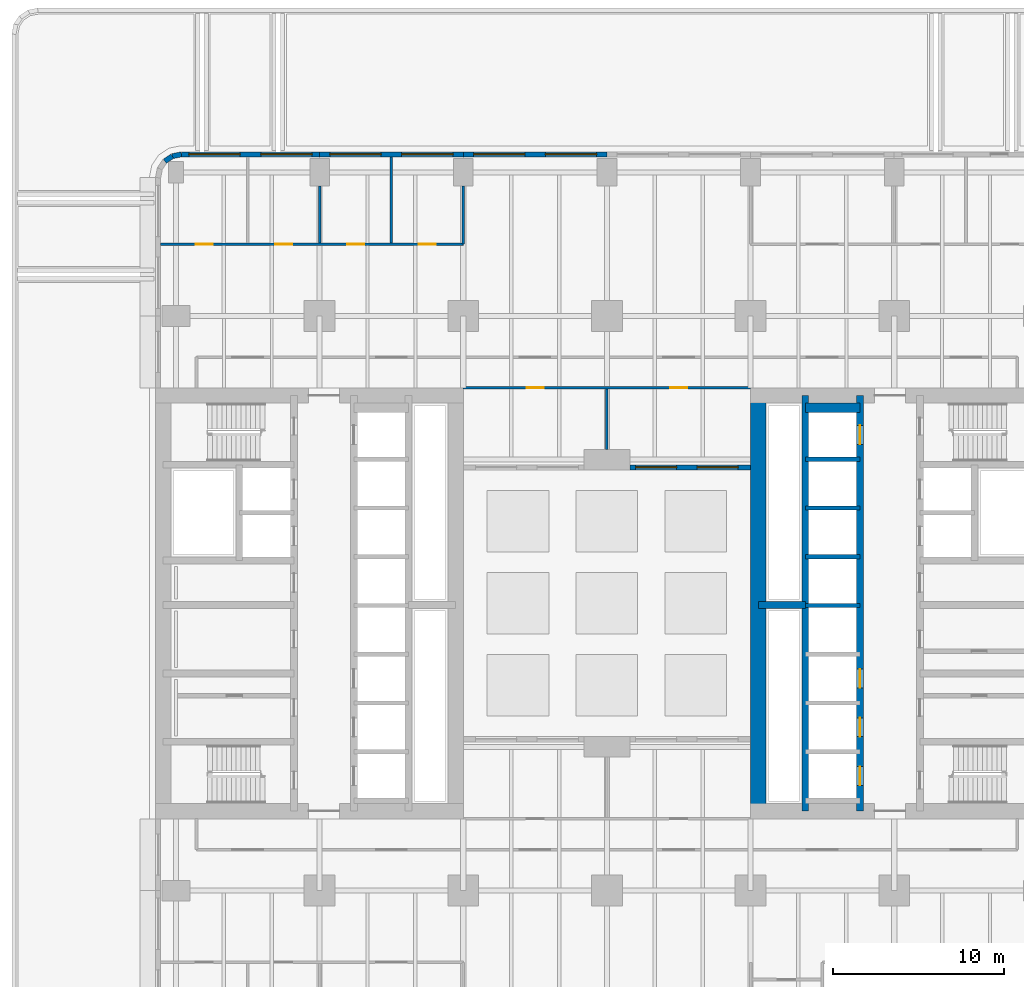
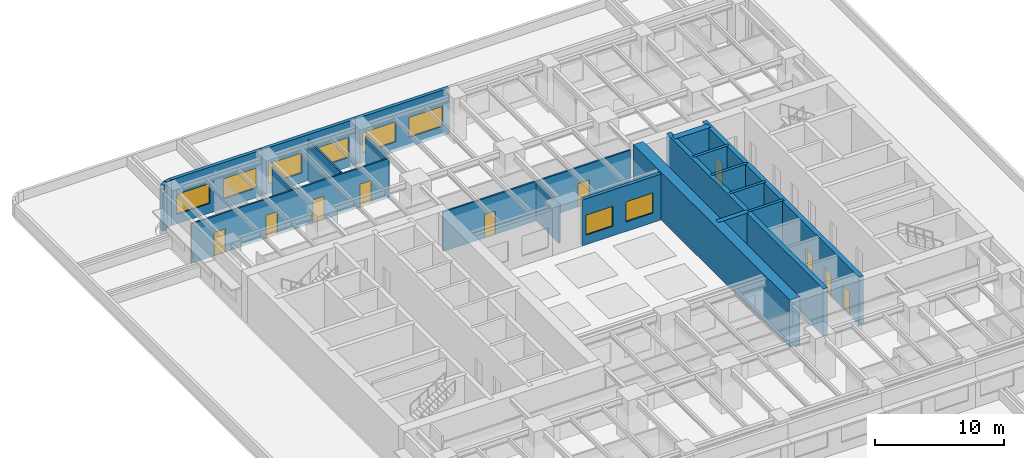
# One storey, part 7 of 17: 21 walls, 10 doors, 8 windows, 18 openings.
"""IFC4 building model written with IfcOpenShell, lengths in metres."""

from ifc_helpers import new_model, si_unit, direction, frame, frame_2d, origin, place, context, subcontext, project, spatial, rectangle, extrude, material, layer, layer_set, type_object, element, fill, save


model = new_model("IFC4")

# Units and contexts
model_context = context("Model", 3, precision=1e-05, world=origin(), true_north=direction((0.0, 1.0)))
body_context = subcontext(model_context, "Body", "Model", "MODEL_VIEW")
ifc_project = project(units=[si_unit("LENGTHUNIT", "METRE"), si_unit("AREAUNIT", "SQUARE_METRE"), si_unit("VOLUMEUNIT", "CUBIC_METRE"), si_unit("PLANEANGLEUNIT", "RADIAN"), si_unit("MASSUNIT", "GRAM", prefix="KILO")], contexts=[model_context])

# Site, building, storey
site_placement = place(None, origin())
site = spatial("IfcSite", under=ifc_project, at=site_placement, CompositionType="ELEMENT")
building_placement = place(site_placement, origin())
building = spatial("IfcBuilding", under=site, at=building_placement, Name="Claustro Exchange Tower", CompositionType="ELEMENT")
storey_placement = place(building_placement, frame((0.0, 0.0, 18.89990234375)))
storey = spatial("IfcBuildingStorey", under=building, at=storey_placement, Name="L04", CompositionType="ELEMENT", Elevation=18.89990234375)

# Wall, openings, doors
ifc_material_1 = material(Name="Gypsum board on steel studs", Category="steel")
ifc_layer_1 = layer(ifc_material_1, 0.14990234375)
ifc_layer_set_1 = layer_set([ifc_layer_1], Name="Gypsum board on steel studs")
wall_type_1 = type_object("IfcWallType", Name="P1 150 plasterboard partition", PredefinedType="PARTITIONING", material=ifc_layer_set_1)
wall_1_placement = place(storey_placement, frame((-0.902099609375, 46.199951171875, 0.0), z_axis=(0.0, 0.0, 1.0), x_axis=(1.0, 0.0, 0.0)))
wall_1 = element("IfcWall", 1, at=wall_1_placement, inside=storey, type_object=wall_type_1, Name="Partition P1 L04", PredefinedType="PARTITIONING", context=body_context, shape_type="SweptSolid", body=[
    extrude(rectangle(XDim=17.7021484375, YDim=0.14990234375, at=frame_2d((8.85107421875, 0.0))), origin(), (0.0, 0.0, 1.0), 3.739990234375),
])
opening_1_placement = place(wall_1_placement, frame((2.052001953125, 0.0, 0.0)))
opening_1 = element("IfcOpeningElement", 2, at=opening_1_placement, cuts=wall_1, Name="Opening D1", PredefinedType="OPENING", context=body_context, shape_type="SweptSolid", body=[
    extrude(rectangle(XDim=1.0, YDim=2.199951171875, at=frame_2d((0.5, 1.10009765625))), frame((0.0, 0.0849609375, 0.0), z_axis=(0.0, -1.0, 0.0), x_axis=(1.0, 0.0, 0.0)), (0.0, 0.0, 1.0), 0.169921875),
])
opening_2_placement = place(wall_1_placement, frame((6.701904296875, 0.0, 0.0)))
opening_2 = element("IfcOpeningElement", 3, at=opening_2_placement, cuts=wall_1, Name="Opening D1", PredefinedType="OPENING", context=body_context, shape_type="SweptSolid", body=[
    extrude(rectangle(XDim=1.0, YDim=2.199951171875, at=frame_2d((0.5, 1.10009765625))), frame((0.0, 0.0849609375, 0.0), z_axis=(0.0, -1.0, 0.0), x_axis=(1.0, 0.0, 0.0)), (0.0, 0.0, 1.0), 0.169921875),
])
opening_3_placement = place(wall_1_placement, frame((10.902099609375, 0.0, 0.0)))
opening_3 = element("IfcOpeningElement", 4, at=opening_3_placement, cuts=wall_1, Name="Opening D1", PredefinedType="OPENING", context=body_context, shape_type="SweptSolid", body=[
    extrude(rectangle(XDim=1.0, YDim=2.199951171875, at=frame_2d((0.5, 1.10009765625))), frame((0.0, 0.0849609375, 0.0), z_axis=(0.0, -1.0, 0.0), x_axis=(1.0, 0.0, 0.0)), (0.0, 0.0, 1.0), 0.169921875),
])
opening_4_placement = place(wall_1_placement, frame((15.10205078125, 0.0, 0.0)))
opening_4 = element("IfcOpeningElement", 5, at=opening_4_placement, cuts=wall_1, Name="Opening D1", PredefinedType="OPENING", context=body_context, shape_type="SweptSolid", body=[
    extrude(rectangle(XDim=1.0, YDim=2.199951171875, at=frame_2d((0.5, 1.10009765625))), frame((0.0, 0.0849609375, 0.0), z_axis=(0.0, -1.0, 0.0), x_axis=(1.0, 0.0, 0.0)), (0.0, 0.0, 1.0), 0.169921875),
])
ifc_material_2 = material(Name="Timber door, oak veneer", Category="wood")
door_type_1 = type_object("IfcDoorType", Name="D1 1000 x 2200 single door", OperationType="SINGLE_SWING_LEFT", PredefinedType="DOOR", material=ifc_material_2)
door_1_placement = place(opening_1_placement, origin())
door_1 = element("IfcDoor", 6, at=door_1_placement, inside=storey, type_object=door_type_1, Name="Door D1 L04", OperationType="SINGLE_SWING_RIGHT", OverallHeight=2.199951171875, OverallWidth=1.0, PredefinedType="DOOR", context=body_context, shape_type="SweptSolid", body=[
    extrude(rectangle(XDim=1.0, YDim=2.199951171875, at=frame_2d((0.5, 1.10009765625))), frame((0.0, 0.02490234375, 0.0), z_axis=(0.0, -1.0, 0.0), x_axis=(1.0, 0.0, 0.0)), (0.0, 0.0, 1.0), 0.050048828125),
])
fill(opening_1, door_1)
door_2_placement = place(opening_2_placement, origin())
door_2 = element("IfcDoor", 7, at=door_2_placement, inside=storey, type_object=door_type_1, Name="Door D1 L04", OperationType="SINGLE_SWING_LEFT", OverallHeight=2.199951171875, OverallWidth=1.0, PredefinedType="DOOR", context=body_context, shape_type="SweptSolid", body=[
    extrude(rectangle(XDim=1.0, YDim=2.199951171875, at=frame_2d((0.5, 1.10009765625))), frame((0.0, 0.02490234375, 0.0), z_axis=(0.0, -1.0, 0.0), x_axis=(1.0, 0.0, 0.0)), (0.0, 0.0, 1.0), 0.050048828125),
])
fill(opening_2, door_2)
door_3_placement = place(opening_3_placement, origin())
door_3 = element("IfcDoor", 8, at=door_3_placement, inside=storey, type_object=door_type_1, Name="Door D1 L04", OperationType="SINGLE_SWING_LEFT", OverallHeight=2.199951171875, OverallWidth=1.0, PredefinedType="DOOR", context=body_context, shape_type="SweptSolid", body=[
    extrude(rectangle(XDim=1.0, YDim=2.199951171875, at=frame_2d((0.5, 1.10009765625))), frame((0.0, 0.02490234375, 0.0), z_axis=(0.0, -1.0, 0.0), x_axis=(1.0, 0.0, 0.0)), (0.0, 0.0, 1.0), 0.050048828125),
])
fill(opening_3, door_3)
door_4_placement = place(opening_4_placement, origin())
door_4 = element("IfcDoor", 9, at=door_4_placement, inside=storey, type_object=door_type_1, Name="Door D1 L04", OperationType="SINGLE_SWING_LEFT", OverallHeight=2.199951171875, OverallWidth=1.0, PredefinedType="DOOR", context=body_context, shape_type="SweptSolid", body=[
    extrude(rectangle(XDim=1.0, YDim=2.199951171875, at=frame_2d((0.5, 1.10009765625))), frame((0.0, 0.02490234375, 0.0), z_axis=(0.0, -1.0, 0.0), x_axis=(1.0, 0.0, 0.0)), (0.0, 0.0, 1.0), 0.050048828125),
])
fill(opening_4, door_4)

# Walls
wall_2_placement = place(storey_placement, frame((8.39990234375, 46.27392578125, 0.0), z_axis=(0.0, 0.0, 1.0), x_axis=(0.0, 1.0, 0.0)))
element("IfcWall", 10, at=wall_2_placement, inside=storey, type_object=wall_type_1, Name="Partition P1 L04", PredefinedType="PARTITIONING", context=body_context, shape_type="SweptSolid", body=[
    extrude(rectangle(XDim=3.3271484375, YDim=0.14990234375, at=frame_2d((1.66357421875, 0.0))), origin(), (0.0, 0.0, 1.0), 3.739990234375),
])
wall_3_placement = place(storey_placement, frame((12.60009765625, 46.27392578125, 0.0), z_axis=(0.0, 0.0, 1.0), x_axis=(0.0, 1.0, 0.0)))
element("IfcWall", 11, at=wall_3_placement, inside=storey, type_object=wall_type_1, Name="Partition P1 L04", PredefinedType="PARTITIONING", context=body_context, shape_type="SweptSolid", body=[
    extrude(rectangle(XDim=5.028076171875, YDim=0.14990234375, at=frame_2d((2.51416015625, 0.0))), origin(), (0.0, 0.0, 1.0), 3.840087890625),
])
wall_4_placement = place(storey_placement, frame((16.800048828125, 46.199951171875, 0.0), z_axis=(0.0, 0.0, 1.0), x_axis=(0.0, 1.0, 0.0)))
element("IfcWall", 12, at=wall_4_placement, inside=storey, type_object=wall_type_1, Name="Partition P1 L04", PredefinedType="PARTITIONING", context=body_context, shape_type="SweptSolid", body=[
    extrude(rectangle(XDim=3.401123046875, YDim=0.14990234375, at=frame_2d((1.70068359375, 0.0))), origin(), (0.0, 0.0, 1.0), 3.739990234375),
])
wall_5_placement = place(storey_placement, frame((25.199951171875, 34.198974609375, 0.0), z_axis=(0.0, 0.0, 1.0), x_axis=(0.0, 1.0, 0.0)))
element("IfcWall", 13, at=wall_5_placement, inside=storey, type_object=wall_type_1, Name="Partition P1 L04", PredefinedType="PARTITIONING", context=body_context, shape_type="SweptSolid", body=[
    extrude(rectangle(XDim=3.527099609375, YDim=0.14990234375, at=frame_2d((1.763671875, 0.0))), origin(), (0.0, 0.0, 1.0), 3.739990234375),
])

# Wall, openings, doors
wall_6_placement = place(storey_placement, frame((16.798095703125, 37.800048828125, 0.0), z_axis=(0.0, 0.0, 1.0), x_axis=(1.0, 0.0, 0.0)))
wall_6 = element("IfcWall", 14, at=wall_6_placement, inside=storey, type_object=wall_type_1, Name="Partition P1 L04", PredefinedType="PARTITIONING", context=body_context, shape_type="SweptSolid", body=[
    extrude(rectangle(XDim=16.803955078125, YDim=0.14990234375, at=frame_2d((8.40185546875, 0.0))), origin(), (0.0, 0.0, 1.0), 3.739990234375),
])
opening_5_placement = place(wall_6_placement, frame((3.701904296875, 0.0, 0.0)))
opening_5 = element("IfcOpeningElement", 15, at=opening_5_placement, cuts=wall_6, Name="Opening D1", PredefinedType="OPENING", context=body_context, shape_type="SweptSolid", body=[
    extrude(rectangle(XDim=1.0, YDim=2.199951171875, at=frame_2d((0.5, 1.10009765625))), frame((0.0, 0.0849609375, 0.0), z_axis=(0.0, -1.0, 0.0), x_axis=(1.0, 0.0, 0.0)), (0.0, 0.0, 1.0), 0.169921875),
])
opening_6_placement = place(wall_6_placement, frame((12.10205078125, 0.0, 0.0)))
opening_6 = element("IfcOpeningElement", 16, at=opening_6_placement, cuts=wall_6, Name="Opening D1", PredefinedType="OPENING", context=body_context, shape_type="SweptSolid", body=[
    extrude(rectangle(XDim=1.0, YDim=2.199951171875, at=frame_2d((0.5, 1.10009765625))), frame((0.0, 0.0849609375, 0.0), z_axis=(0.0, -1.0, 0.0), x_axis=(1.0, 0.0, 0.0)), (0.0, 0.0, 1.0), 0.169921875),
])
door_5_placement = place(opening_5_placement, frame((1.0, 0.0, 0.0), z_axis=(0.0, 0.0, 1.0), x_axis=(-1.0, 0.0, 0.0)))
door_5 = element("IfcDoor", 17, at=door_5_placement, inside=storey, type_object=door_type_1, Name="Door D1 L04", OperationType="SINGLE_SWING_RIGHT", OverallHeight=2.199951171875, OverallWidth=1.0, PredefinedType="DOOR", context=body_context, shape_type="SweptSolid", body=[
    extrude(rectangle(XDim=1.0, YDim=2.199951171875, at=frame_2d((0.5, 1.10009765625))), frame((0.0, 0.02490234375, 0.0), z_axis=(0.0, -1.0, 0.0), x_axis=(1.0, 0.0, 0.0)), (0.0, 0.0, 1.0), 0.050048828125),
])
fill(opening_5, door_5)
door_6_placement = place(opening_6_placement, frame((1.0, 0.0, 0.0), z_axis=(0.0, 0.0, 1.0), x_axis=(-1.0, 0.0, 0.0)))
door_6 = element("IfcDoor", 18, at=door_6_placement, inside=storey, type_object=door_type_1, Name="Door D1 L04", OperationType="SINGLE_SWING_RIGHT", OverallHeight=2.199951171875, OverallWidth=1.0, PredefinedType="DOOR", context=body_context, shape_type="SweptSolid", body=[
    extrude(rectangle(XDim=1.0, YDim=2.199951171875, at=frame_2d((0.5, 1.10009765625))), frame((0.0, 0.02490234375, 0.0), z_axis=(0.0, -1.0, 0.0), x_axis=(1.0, 0.0, 0.0)), (0.0, 0.0, 1.0), 0.050048828125),
])
fill(opening_6, door_6)

# Walls
ifc_material_3 = material(Name="Concrete HA-40 (C40/50), precast, white cement, acid-etched", Category="concrete")
ifc_layer_2 = layer(ifc_material_3, 0.300048828125)
ifc_layer_set_2 = layer_set([ifc_layer_2], Name="Concrete HA-40 (C40/50), precast, white cement, acid-etched")
wall_type_2 = type_object("IfcWallType", Name="PC1 300 precast concrete pier panel", PredefinedType="SOLIDWALL", material=ifc_layer_set_2)
wall_7_placement = place(storey_placement, frame((-0.652587890625, 51.052490234375, 0.0), z_axis=(0.0, 0.0, 1.0), x_axis=(0.831478144188, 0.555557463938, 0.0)))
element("IfcWall", 19, at=wall_7_placement, inside=storey, type_object=wall_type_2, Name="Precast pier panel PC1 L04", PredefinedType="SOLIDWALL", context=body_context, shape_type="SweptSolid", body=[
    extrude(rectangle(XDim=0.525634765625, YDim=0.300048828125, at=frame_2d((0.2626953125, 0.0))), origin(), (0.0, 0.0, 1.0), 4.340087890625),
])
wall_8_placement = place(storey_placement, frame((-0.215576171875, 51.344482421875, 0.0), z_axis=(0.0, 0.0, 1.0), x_axis=(0.980788534345, 0.195073962632, 0.0)))
element("IfcWall", 20, at=wall_8_placement, inside=storey, type_object=wall_type_2, Name="Precast pier panel PC1 L04", PredefinedType="SOLIDWALL", context=body_context, shape_type="SweptSolid", body=[
    extrude(rectangle(XDim=0.540771484375, YDim=0.300048828125, at=frame_2d((0.2705078125, 0.0))), origin(), (0.0, 0.0, 1.0), 4.340087890625),
])

# Wall, openings, windows
wall_9_placement = place(storey_placement, frame((0.314697265625, 51.449951171875, 0.0), z_axis=(0.0, 0.0, 1.0), x_axis=(1.0, 0.0, 0.0)))
wall_9 = element("IfcWall", 21, at=wall_9_placement, inside=storey, type_object=wall_type_2, Name="Precast pier panel PC1 L04", PredefinedType="SOLIDWALL", context=body_context, shape_type="SweptSolid", body=[
    extrude(rectangle(XDim=8.085205078125, YDim=0.300048828125, at=frame_2d((4.04248046875, 0.0))), origin(), (0.0, 0.0, 1.0), 4.340087890625),
])
opening_7_placement = place(wall_9_placement, frame((0.442626953125, 0.0, 0.89990234375)))
opening_7 = element("IfcOpeningElement", 22, at=opening_7_placement, cuts=wall_9, Name="Opening W1", PredefinedType="OPENING", context=body_context, shape_type="SweptSolid", body=[
    extrude(rectangle(XDim=3.0, YDim=1.89990234375, at=frame_2d((1.5, 0.949951171875))), frame((0.0, 0.159912109375, 0.0), z_axis=(0.0, -1.0, 0.0), x_axis=(1.0, 0.0, 0.0)), (0.0, 0.0, 1.0), 0.320068359375),
])
opening_8_placement = place(wall_9_placement, frame((4.642578125, 0.0, 0.89990234375)))
opening_8 = element("IfcOpeningElement", 23, at=opening_8_placement, cuts=wall_9, Name="Opening W1", PredefinedType="OPENING", context=body_context, shape_type="SweptSolid", body=[
    extrude(rectangle(XDim=3.0, YDim=1.89990234375, at=frame_2d((1.5, 0.949951171875))), frame((0.0, 0.159912109375, 0.0), z_axis=(0.0, -1.0, 0.0), x_axis=(1.0, 0.0, 0.0)), (0.0, 0.0, 1.0), 0.320068359375),
])
ifc_material_4 = material(Name="Aluminium frame, clear double glazing", Category="aluminium")
window_type_1 = type_object("IfcWindowType", Name="W1 3000 x 1900 window", PartitioningType="SINGLE_PANEL", PredefinedType="WINDOW", material=ifc_material_4)
window_1_placement = place(opening_7_placement, origin())
window_1 = element("IfcWindow", 24, at=window_1_placement, inside=storey, type_object=window_type_1, Name="Window W1 L04", OverallHeight=1.89990234375, OverallWidth=3.0, PartitioningType="SINGLE_PANEL", PredefinedType="WINDOW", context=body_context, shape_type="SweptSolid", body=[
    extrude(rectangle(XDim=3.0, YDim=1.89990234375, at=frame_2d((1.5, 0.949951171875))), frame((0.0, 0.030029296875, 0.0), z_axis=(0.0, -1.0, 0.0), x_axis=(1.0, 0.0, 0.0)), (0.0, 0.0, 1.0), 0.06005859375),
])
fill(opening_7, window_1)
window_2_placement = place(opening_8_placement, origin())
window_2 = element("IfcWindow", 25, at=window_2_placement, inside=storey, type_object=window_type_1, Name="Window W1 L04", OverallHeight=1.89990234375, OverallWidth=3.0, PartitioningType="SINGLE_PANEL", PredefinedType="WINDOW", context=body_context, shape_type="SweptSolid", body=[
    extrude(rectangle(XDim=3.0, YDim=1.89990234375, at=frame_2d((1.5, 0.949951171875))), frame((0.0, 0.030029296875, 0.0), z_axis=(0.0, -1.0, 0.0), x_axis=(1.0, 0.0, 0.0)), (0.0, 0.0, 1.0), 0.06005859375),
])
fill(opening_8, window_2)

wall_10_placement = place(storey_placement, frame((8.39990234375, 51.449951171875, 0.0), z_axis=(0.0, 0.0, 1.0), x_axis=(1.0, 0.0, 0.0)))
wall_10 = element("IfcWall", 26, at=wall_10_placement, inside=storey, type_object=wall_type_2, Name="Precast pier panel PC1 L04", PredefinedType="SOLIDWALL", context=body_context, shape_type="SweptSolid", body=[
    extrude(rectangle(XDim=8.400146484375, YDim=0.300048828125, at=frame_2d((4.2001953125, 0.0))), origin(), (0.0, 0.0, 1.0), 4.340087890625),
])
opening_9_placement = place(wall_10_placement, frame((0.60009765625, 0.0, 0.89990234375)))
opening_9 = element("IfcOpeningElement", 27, at=opening_9_placement, cuts=wall_10, Name="Opening W1", PredefinedType="OPENING", context=body_context, shape_type="SweptSolid", body=[
    extrude(rectangle(XDim=3.0, YDim=1.89990234375, at=frame_2d((1.5, 0.949951171875))), frame((0.0, 0.159912109375, 0.0), z_axis=(0.0, -1.0, 0.0), x_axis=(1.0, 0.0, 0.0)), (0.0, 0.0, 1.0), 0.320068359375),
])
opening_10_placement = place(wall_10_placement, frame((4.800048828125, 0.0, 0.89990234375)))
opening_10 = element("IfcOpeningElement", 28, at=opening_10_placement, cuts=wall_10, Name="Opening W1", PredefinedType="OPENING", context=body_context, shape_type="SweptSolid", body=[
    extrude(rectangle(XDim=3.0, YDim=1.89990234375, at=frame_2d((1.5, 0.949951171875))), frame((0.0, 0.159912109375, 0.0), z_axis=(0.0, -1.0, 0.0), x_axis=(1.0, 0.0, 0.0)), (0.0, 0.0, 1.0), 0.320068359375),
])
window_3_placement = place(opening_9_placement, origin())
window_3 = element("IfcWindow", 29, at=window_3_placement, inside=storey, type_object=window_type_1, Name="Window W1 L04", OverallHeight=1.89990234375, OverallWidth=3.0, PartitioningType="SINGLE_PANEL", PredefinedType="WINDOW", context=body_context, shape_type="SweptSolid", body=[
    extrude(rectangle(XDim=3.0, YDim=1.89990234375, at=frame_2d((1.5, 0.949951171875))), frame((0.0, 0.030029296875, 0.0), z_axis=(0.0, -1.0, 0.0), x_axis=(1.0, 0.0, 0.0)), (0.0, 0.0, 1.0), 0.06005859375),
])
fill(opening_9, window_3)
window_4_placement = place(opening_10_placement, origin())
window_4 = element("IfcWindow", 30, at=window_4_placement, inside=storey, type_object=window_type_1, Name="Window W1 L04", OverallHeight=1.89990234375, OverallWidth=3.0, PartitioningType="SINGLE_PANEL", PredefinedType="WINDOW", context=body_context, shape_type="SweptSolid", body=[
    extrude(rectangle(XDim=3.0, YDim=1.89990234375, at=frame_2d((1.5, 0.949951171875))), frame((0.0, 0.030029296875, 0.0), z_axis=(0.0, -1.0, 0.0), x_axis=(1.0, 0.0, 0.0)), (0.0, 0.0, 1.0), 0.06005859375),
])
fill(opening_10, window_4)

wall_11_placement = place(storey_placement, frame((16.800048828125, 51.449951171875, 0.0), z_axis=(0.0, 0.0, 1.0), x_axis=(1.0, 0.0, 0.0)))
wall_11 = element("IfcWall", 31, at=wall_11_placement, inside=storey, type_object=wall_type_2, Name="Precast pier panel PC1 L04", PredefinedType="SOLIDWALL", context=body_context, shape_type="SweptSolid", body=[
    extrude(rectangle(XDim=8.39990234375, YDim=0.300048828125, at=frame_2d((4.199951171875, 0.0))), origin(), (0.0, 0.0, 1.0), 4.340087890625),
])
opening_11_placement = place(wall_11_placement, frame((0.60009765625, 0.0, 0.89990234375)))
opening_11 = element("IfcOpeningElement", 32, at=opening_11_placement, cuts=wall_11, Name="Opening W1", PredefinedType="OPENING", context=body_context, shape_type="SweptSolid", body=[
    extrude(rectangle(XDim=3.0, YDim=1.89990234375, at=frame_2d((1.5, 0.949951171875))), frame((0.0, 0.159912109375, 0.0), z_axis=(0.0, -1.0, 0.0), x_axis=(1.0, 0.0, 0.0)), (0.0, 0.0, 1.0), 0.320068359375),
])
opening_12_placement = place(wall_11_placement, frame((4.800048828125, 0.0, 0.89990234375)))
opening_12 = element("IfcOpeningElement", 33, at=opening_12_placement, cuts=wall_11, Name="Opening W1", PredefinedType="OPENING", context=body_context, shape_type="SweptSolid", body=[
    extrude(rectangle(XDim=3.0, YDim=1.89990234375, at=frame_2d((1.5, 0.949951171875))), frame((0.0, 0.159912109375, 0.0), z_axis=(0.0, -1.0, 0.0), x_axis=(1.0, 0.0, 0.0)), (0.0, 0.0, 1.0), 0.320068359375),
])
window_5_placement = place(opening_11_placement, origin())
window_5 = element("IfcWindow", 34, at=window_5_placement, inside=storey, type_object=window_type_1, Name="Window W1 L04", OverallHeight=1.89990234375, OverallWidth=3.0, PartitioningType="SINGLE_PANEL", PredefinedType="WINDOW", context=body_context, shape_type="SweptSolid", body=[
    extrude(rectangle(XDim=3.0, YDim=1.89990234375, at=frame_2d((1.5, 0.949951171875))), frame((0.0, 0.030029296875, 0.0), z_axis=(0.0, -1.0, 0.0), x_axis=(1.0, 0.0, 0.0)), (0.0, 0.0, 1.0), 0.06005859375),
])
fill(opening_11, window_5)
window_6_placement = place(opening_12_placement, origin())
window_6 = element("IfcWindow", 35, at=window_6_placement, inside=storey, type_object=window_type_1, Name="Window W1 L04", OverallHeight=1.89990234375, OverallWidth=3.0, PartitioningType="SINGLE_PANEL", PredefinedType="WINDOW", context=body_context, shape_type="SweptSolid", body=[
    extrude(rectangle(XDim=3.0, YDim=1.89990234375, at=frame_2d((1.5, 0.949951171875))), frame((0.0, 0.030029296875, 0.0), z_axis=(0.0, -1.0, 0.0), x_axis=(1.0, 0.0, 0.0)), (0.0, 0.0, 1.0), 0.06005859375),
])
fill(opening_12, window_6)

wall_12_placement = place(storey_placement, frame((26.550048828125, 33.14990234375, 0.0), z_axis=(0.0, 0.0, 1.0), x_axis=(1.0, 0.0, 0.0)))
wall_12 = element("IfcWall", 36, at=wall_12_placement, inside=storey, type_object=wall_type_2, Name="Precast pier panel PC1 L04", PredefinedType="SOLIDWALL", context=body_context, shape_type="SweptSolid", body=[
    extrude(rectangle(XDim=7.050048828125, YDim=0.300048828125, at=frame_2d((3.52490234375, 0.0))), origin(), (0.0, 0.0, 1.0), 4.340087890625),
])
opening_13_placement = place(wall_12_placement, frame((0.324951171875, 0.0, 0.89990234375)))
opening_13 = element("IfcOpeningElement", 37, at=opening_13_placement, cuts=wall_12, Name="Opening W2", PredefinedType="OPENING", context=body_context, shape_type="SweptSolid", body=[
    extrude(rectangle(XDim=2.39990234375, YDim=1.89990234375, at=frame_2d((1.199951171875, 0.949951171875))), frame((0.0, 0.159912109375, 0.0), z_axis=(0.0, -1.0, 0.0), x_axis=(1.0, 0.0, 0.0)), (0.0, 0.0, 1.0), 0.320068359375),
])
opening_14_placement = place(wall_12_placement, frame((3.925048828125, 0.0, 0.89990234375)))
opening_14 = element("IfcOpeningElement", 38, at=opening_14_placement, cuts=wall_12, Name="Opening W2", PredefinedType="OPENING", context=body_context, shape_type="SweptSolid", body=[
    extrude(rectangle(XDim=2.39990234375, YDim=1.89990234375, at=frame_2d((1.199951171875, 0.949951171875))), frame((0.0, 0.159912109375, 0.0), z_axis=(0.0, -1.0, 0.0), x_axis=(1.0, 0.0, 0.0)), (0.0, 0.0, 1.0), 0.320068359375),
])
ifc_material_5 = material(Name="Aluminium frame, clear double glazing", Category="aluminium")
window_type_2 = type_object("IfcWindowType", Name="W2 2400 x 1900 window", PartitioningType="SINGLE_PANEL", PredefinedType="WINDOW", material=ifc_material_5)
window_7_placement = place(opening_13_placement, origin())
window_7 = element("IfcWindow", 39, at=window_7_placement, inside=storey, type_object=window_type_2, Name="Window W2 L04", OverallHeight=1.89990234375, OverallWidth=2.39990234375, PartitioningType="SINGLE_PANEL", PredefinedType="WINDOW", context=body_context, shape_type="SweptSolid", body=[
    extrude(rectangle(XDim=2.39990234375, YDim=1.89990234375, at=frame_2d((1.199951171875, 0.949951171875))), frame((0.0, 0.030029296875, 0.0), z_axis=(0.0, -1.0, 0.0), x_axis=(1.0, 0.0, 0.0)), (0.0, 0.0, 1.0), 0.06005859375),
])
fill(opening_13, window_7)
window_8_placement = place(opening_14_placement, origin())
window_8 = element("IfcWindow", 40, at=window_8_placement, inside=storey, type_object=window_type_2, Name="Window W2 L04", OverallHeight=1.89990234375, OverallWidth=2.39990234375, PartitioningType="SINGLE_PANEL", PredefinedType="WINDOW", context=body_context, shape_type="SweptSolid", body=[
    extrude(rectangle(XDim=2.39990234375, YDim=1.89990234375, at=frame_2d((1.199951171875, 0.949951171875))), frame((0.0, 0.030029296875, 0.0), z_axis=(0.0, -1.0, 0.0), x_axis=(1.0, 0.0, 0.0)), (0.0, 0.0, 1.0), 0.06005859375),
])
fill(opening_14, window_8)

# Wall
ifc_material_6 = material(Name="Concrete HA-70 (C70/85)", Category="concrete")
ifc_layer_3 = layer(ifc_material_6, 0.89990234375)
ifc_layer_set_3 = layer_set([ifc_layer_3], Name="Concrete HA-70 (C70/85)")
wall_type_3 = type_object("IfcWallType", Name="SW1X 900 exposed core shear wall, board-marked face", PredefinedType="SHEAR", material=ifc_layer_set_3)
wall_13_placement = place(storey_placement, frame((34.050048828125, 13.050048828125, 0.0), z_axis=(0.0, 0.0, 1.0), x_axis=(0.0, 1.0, 0.0)))
element("IfcWall", 41, at=wall_13_placement, inside=storey, type_object=wall_type_3, Name="Core wall SW1X E core W face L04", PredefinedType="SHEAR", context=body_context, shape_type="SweptSolid", body=[
    extrude(rectangle(XDim=24.300048828125, YDim=0.89990234375, at=frame_2d((12.14990234375, 0.0))), origin(), (0.0, 0.0, 1.0), 4.5),
])

# Wall, openings, doors
ifc_material_7 = material(Name="Concrete HA-50 (C50/60)", Category="concrete")
ifc_layer_4 = layer(ifc_material_7, 0.39990234375)
ifc_layer_set_4 = layer_set([ifc_layer_4], Name="Concrete HA-50 (C50/60)")
wall_type_4 = type_object("IfcWallType", Name="SW4 400 internal core wall", PredefinedType="SHEAR", material=ifc_layer_set_4)
wall_14_placement = place(storey_placement, frame((40.0, 13.050048828125, 0.0), z_axis=(0.0, 0.0, 1.0), x_axis=(0.0, 1.0, 0.0)))
wall_14 = element("IfcWall", 42, at=wall_14_placement, inside=storey, type_object=wall_type_4, Name="Internal core wall SW4 E core L04", PredefinedType="SHEAR", context=body_context, shape_type="SweptSolid", body=[
    extrude(rectangle(XDim=24.300048828125, YDim=0.39990234375, at=frame_2d((12.14990234375, 0.0))), origin(), (0.0, 0.0, 1.0), 4.5),
])
opening_15_placement = place(wall_14_placement, frame((1.5, 0.0, 0.0)))
opening_15 = element("IfcOpeningElement", 43, at=opening_15_placement, cuts=wall_14, Name="Opening LD", PredefinedType="OPENING", context=body_context, shape_type="SweptSolid", body=[
    extrude(rectangle(XDim=1.10009765625, YDim=2.199951171875, at=frame_2d((0.550048828125, 1.10009765625))), frame((0.0, 0.2099609375, 0.0), z_axis=(0.0, -1.0, 0.0), x_axis=(1.0, 0.0, 0.0)), (0.0, 0.0, 1.0), 0.419921875),
])
opening_16_placement = place(wall_14_placement, frame((4.35009765625, 0.0, 0.0)))
opening_16 = element("IfcOpeningElement", 44, at=opening_16_placement, cuts=wall_14, Name="Opening LD", PredefinedType="OPENING", context=body_context, shape_type="SweptSolid", body=[
    extrude(rectangle(XDim=1.10009765625, YDim=2.199951171875, at=frame_2d((0.550048828125, 1.10009765625))), frame((0.0, 0.2099609375, 0.0), z_axis=(0.0, -1.0, 0.0), x_axis=(1.0, 0.0, 0.0)), (0.0, 0.0, 1.0), 0.419921875),
])
opening_17_placement = place(wall_14_placement, frame((7.199951171875, 0.0, 0.0)))
opening_17 = element("IfcOpeningElement", 45, at=opening_17_placement, cuts=wall_14, Name="Opening LD", PredefinedType="OPENING", context=body_context, shape_type="SweptSolid", body=[
    extrude(rectangle(XDim=1.10009765625, YDim=2.199951171875, at=frame_2d((0.550048828125, 1.10009765625))), frame((0.0, 0.2099609375, 0.0), z_axis=(0.0, -1.0, 0.0), x_axis=(1.0, 0.0, 0.0)), (0.0, 0.0, 1.0), 0.419921875),
])
opening_18_placement = place(wall_14_placement, frame((21.449951171875, 0.0, 0.0)))
opening_18 = element("IfcOpeningElement", 46, at=opening_18_placement, cuts=wall_14, Name="Opening LD", PredefinedType="OPENING", context=body_context, shape_type="SweptSolid", body=[
    extrude(rectangle(XDim=1.10009765625, YDim=2.199951171875, at=frame_2d((0.550048828125, 1.10009765625))), frame((0.0, 0.2099609375, 0.0), z_axis=(0.0, -1.0, 0.0), x_axis=(1.0, 0.0, 0.0)), (0.0, 0.0, 1.0), 0.419921875),
])
ifc_material_8 = material(Name="Stainless steel sliding door", Category="steel")
door_type_2 = type_object("IfcDoorType", Name="LD 1100 x 2200 lift landing door", OperationType="DOUBLE_DOOR_SLIDING", PredefinedType="DOOR", material=ifc_material_8)
door_7_placement = place(opening_15_placement, origin())
door_7 = element("IfcDoor", 47, at=door_7_placement, inside=storey, type_object=door_type_2, Name="Lift landing door LLE1 LD L04", OperationType="DOUBLE_DOOR_SLIDING", OverallHeight=2.199951171875, OverallWidth=1.10009765625, PredefinedType="DOOR", context=body_context, shape_type="SweptSolid", body=[
    extrude(rectangle(XDim=1.10009765625, YDim=2.199951171875, at=frame_2d((0.550048828125, 1.10009765625))), frame((0.0, 0.02490234375, 0.0), z_axis=(0.0, -1.0, 0.0), x_axis=(1.0, 0.0, 0.0)), (0.0, 0.0, 1.0), 0.050048828125),
])
fill(opening_15, door_7)
door_8_placement = place(opening_16_placement, origin())
door_8 = element("IfcDoor", 48, at=door_8_placement, inside=storey, type_object=door_type_2, Name="Lift landing door LLE2 LD L04", OperationType="DOUBLE_DOOR_SLIDING", OverallHeight=2.199951171875, OverallWidth=1.10009765625, PredefinedType="DOOR", context=body_context, shape_type="SweptSolid", body=[
    extrude(rectangle(XDim=1.10009765625, YDim=2.199951171875, at=frame_2d((0.550048828125, 1.10009765625))), frame((0.0, 0.02490234375, 0.0), z_axis=(0.0, -1.0, 0.0), x_axis=(1.0, 0.0, 0.0)), (0.0, 0.0, 1.0), 0.050048828125),
])
fill(opening_16, door_8)
door_9_placement = place(opening_17_placement, origin())
door_9 = element("IfcDoor", 49, at=door_9_placement, inside=storey, type_object=door_type_2, Name="Lift landing door LLE3 LD L04", OperationType="DOUBLE_DOOR_SLIDING", OverallHeight=2.199951171875, OverallWidth=1.10009765625, PredefinedType="DOOR", context=body_context, shape_type="SweptSolid", body=[
    extrude(rectangle(XDim=1.10009765625, YDim=2.199951171875, at=frame_2d((0.550048828125, 1.10009765625))), frame((0.0, 0.02490234375, 0.0), z_axis=(0.0, -1.0, 0.0), x_axis=(1.0, 0.0, 0.0)), (0.0, 0.0, 1.0), 0.050048828125),
])
fill(opening_17, door_9)
door_10_placement = place(opening_18_placement, origin())
door_10 = element("IfcDoor", 50, at=door_10_placement, inside=storey, type_object=door_type_2, Name="Lift landing door LSE1 LD L04", OperationType="DOUBLE_DOOR_SLIDING", OverallHeight=2.199951171875, OverallWidth=1.10009765625, PredefinedType="DOOR", context=body_context, shape_type="SweptSolid", body=[
    extrude(rectangle(XDim=1.10009765625, YDim=2.199951171875, at=frame_2d((0.550048828125, 1.10009765625))), frame((0.0, 0.02490234375, 0.0), z_axis=(0.0, -1.0, 0.0), x_axis=(1.0, 0.0, 0.0)), (0.0, 0.0, 1.0), 0.050048828125),
])
fill(opening_18, door_10)

# Walls
wall_15_placement = place(storey_placement, frame((36.800048828125, 13.050048828125, 0.0), z_axis=(0.0, 0.0, 1.0), x_axis=(0.0, 1.0, 0.0)))
element("IfcWall", 51, at=wall_15_placement, inside=storey, type_object=wall_type_4, Name="Internal core wall SW4 E core L04", PredefinedType="SHEAR", context=body_context, shape_type="SweptSolid", body=[
    extrude(rectangle(XDim=24.300048828125, YDim=0.39990234375, at=frame_2d((12.14990234375, 0.0))), origin(), (0.0, 0.0, 1.0), 4.5),
])
wall_16_placement = place(storey_placement, frame((36.800048828125, 25.10009765625, 0.0), z_axis=(0.0, 0.0, 1.0), x_axis=(-1.0, 0.0, 0.0)))
element("IfcWall", 52, at=wall_16_placement, inside=storey, type_object=wall_type_4, Name="Internal core wall SW4 E core L04", PredefinedType="SHEAR", context=body_context, shape_type="SweptSolid", body=[
    extrude(rectangle(XDim=2.75, YDim=0.39990234375, at=frame_2d((1.375, 0.0))), origin(), (0.0, 0.0, 1.0), 4.5),
])
ifc_material_9 = material(Name="Concrete HA-50 (C50/60)", Category="concrete")
ifc_layer_5 = layer(ifc_material_9, 0.25)
ifc_layer_set_5 = layer_set([ifc_layer_5], Name="Concrete HA-50 (C50/60)")
wall_type_5 = type_object("IfcWallType", Name="SW5 250 lift shaft divider wall", PredefinedType="SHEAR", material=ifc_layer_set_5)
for number, where, z_axis, x_axis, name in (
    (53, (40.0, 25.074951171875, 0.0), (0.0, 0.0, 1.0), (-1.0, 0.0, 0.0), "Lift shaft wall E core L04"),
    (54, (40.0, 27.925048828125, 0.0), (0.0, 0.0, 1.0), (-1.0, 0.0, 0.0), "Lift shaft wall E core L04"),
    (55, (40.0, 30.77490234375, 0.0), (0.0, 0.0, 1.0), (-1.0, 0.0, 0.0), "Lift shaft wall E core L04"),
    (56, (40.0, 33.625, 0.0), (0.0, 0.0, 1.0), (-1.0, 0.0, 0.0), "Lift shaft wall E core L04"),
):
    element("IfcWall", number, at=place(storey_placement, frame(where, z_axis=z_axis, x_axis=x_axis)), inside=storey, type_object=wall_type_5, Name=name, PredefinedType="SHEAR", context=body_context, shape_type="SweptSolid", body=[
        extrude(rectangle(XDim=3.199951171875, YDim=0.25, at=frame_2d((1.60009765625, 0.0))), origin(), (0.0, 0.0, 1.0), 4.5),
    ])
ifc_material_10 = material(Name="Concrete HA-50 (C50/60)", Category="concrete")
ifc_layer_6 = layer(ifc_material_10, 0.550048828125)
ifc_layer_set_6 = layer_set([ifc_layer_6], Name="Concrete HA-50 (C50/60)")
wall_type_6 = type_object("IfcWallType", Name="SW6 550 lift shaft end wall", PredefinedType="SHEAR", material=ifc_layer_set_6)
wall_17_placement = place(storey_placement, frame((40.0, 36.625, 0.0), z_axis=(0.0, 0.0, 1.0), x_axis=(-1.0, 0.0, 0.0)))
element("IfcWall", 57, at=wall_17_placement, inside=storey, type_object=wall_type_6, Name="Lift shaft wall E core L04", PredefinedType="SHEAR", context=body_context, shape_type="SweptSolid", body=[
    extrude(rectangle(XDim=3.199951171875, YDim=0.550048828125, at=frame_2d((1.60009765625, 0.0))), origin(), (0.0, 0.0, 1.0), 4.5),
])

save(model, "model.ifc")
